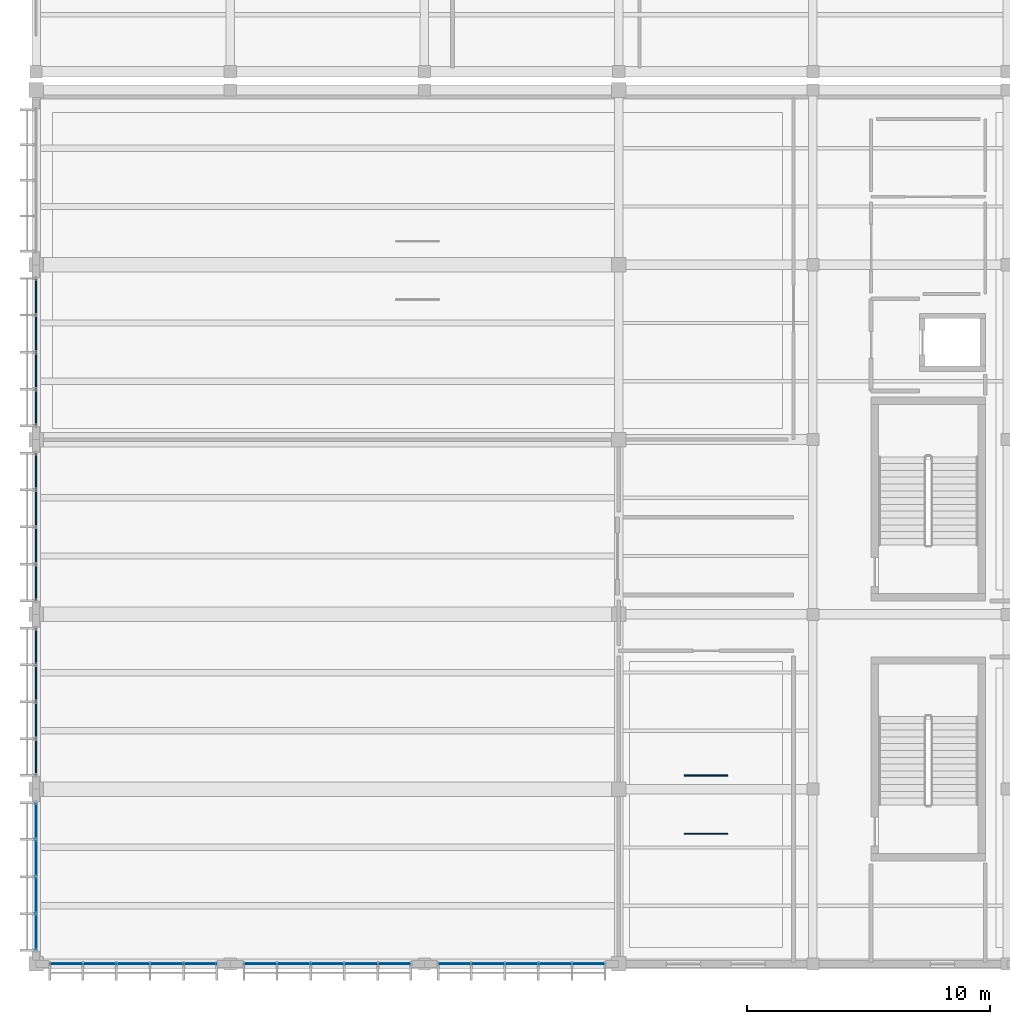
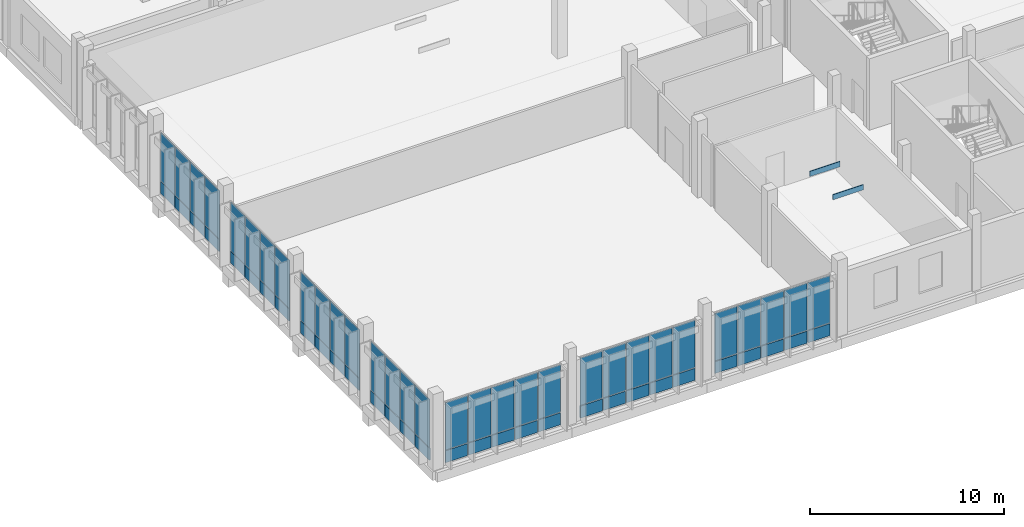
# One storey, part 132 of 177: 64 plates, 7 elements without a shape of their own.
"""IFC4 building model written with IfcOpenShell, lengths in metres."""

from ifc_helpers import new_model, si_unit, direction, frame, origin, origin_2d, place, context, subcontext, project, spatial, rectangle, extrude, material, layer, layer_set, type_object, element, aggregate, save


model = new_model("IFC4")

# Units and contexts
model_context = context("Model", 3, precision=1e-05, world=origin(), true_north=direction((0.0, 1.0)))
body_context = subcontext(model_context, "Body", "Model", "MODEL_VIEW")
ifc_project = project(units=[si_unit("LENGTHUNIT", "METRE"), si_unit("AREAUNIT", "SQUARE_METRE"), si_unit("VOLUMEUNIT", "CUBIC_METRE"), si_unit("PLANEANGLEUNIT", "RADIAN"), si_unit("MASSUNIT", "GRAM", prefix="KILO")], contexts=[model_context])

# Site, building, storey
site_placement = place(None, origin())
site = spatial("IfcSite", under=ifc_project, at=site_placement, CompositionType="ELEMENT")
building_placement = place(site_placement, origin())
building = spatial("IfcBuilding", under=site, at=building_placement, Name="Chiffa Square Polytechnic", CompositionType="ELEMENT")
storey_placement = place(building_placement, frame((0.0, 0.0, 4.800048828125)))
storey = spatial("IfcBuildingStorey", under=building, at=storey_placement, Name="L01", CompositionType="ELEMENT", Elevation=4.800048828125)

# Curtain wall, plates
ifc_material_1 = material(Name="Aluminium EN AW-6060 T66 and glulam shading", Category="wood")
curtain_wall_type_1 = type_object("IfcCurtainWallType", Name="CW-VERT-300X380", PredefinedType="USERDEFINED", material=ifc_material_1)
curtain_wall_1_placement = place(storey_placement, origin())
curtain_wall_1 = element("IfcCurtainWall", 1, at=curtain_wall_1_placement, inside=storey, type_object=curtain_wall_type_1, Name="Curtain wall CW-V3-L01-163", ObjectType="CURTAIN WALL", PredefinedType="USERDEFINED")
ifc_material_2 = material(Name="Double glazing", Category="glass")
ifc_layer_1 = layer(ifc_material_2, 0.0458984375, Name="Double glazing")
ifc_layer_set_1 = layer_set([ifc_layer_1], Name="Double glazing")
plate_type_1 = type_object("IfcPlateType", Name="CWP-GLZ-128X106", PredefinedType="CURTAIN_PANEL", material=ifc_layer_set_1)
plate_1_placement = place(storey_placement, frame((0.0, 13.083984375, 0.839599609375), z_axis=(0.0, 0.0, 1.0), x_axis=(0.0, -1.0, 0.0)))
plate_1 = element("IfcPlate", 2, at=plate_1_placement, type_object=plate_type_1, Name="Glazed curtain panel CW-V3-L01-163-PN01", PredefinedType="CURTAIN_PANEL", context=body_context, shape_type="SweptSolid", body=[
    extrude(rectangle(XDim=1.4560546875, YDim=0.0458984375, at=origin_2d()), origin(), (0.0, 0.0, 1.0), 3.02490234375),
])
plate_2_placement = place(storey_placement, frame((0.0, 11.56494140625, 0.839599609375), z_axis=(0.0, 0.0, 1.0), x_axis=(0.0, -1.0, 0.0)))
plate_2 = element("IfcPlate", 3, at=plate_2_placement, type_object=plate_type_1, Name="Glazed curtain panel CW-V3-L01-163-PN02", PredefinedType="CURTAIN_PANEL", context=body_context, shape_type="SweptSolid", body=[
    extrude(rectangle(XDim=1.47802734375, YDim=0.0458984375, at=origin_2d()), origin(), (0.0, 0.0, 1.0), 3.02490234375),
])
plate_3_placement = place(storey_placement, frame((0.0, 10.034912109375, 0.839599609375), z_axis=(0.0, 0.0, 1.0), x_axis=(0.0, -1.0, 0.0)))
plate_3 = element("IfcPlate", 4, at=plate_3_placement, type_object=plate_type_1, Name="Glazed curtain panel CW-V3-L01-163-PN03", PredefinedType="CURTAIN_PANEL", context=body_context, shape_type="SweptSolid", body=[
    extrude(rectangle(XDim=1.47802734375, YDim=0.0458984375, at=origin_2d()), origin(), (0.0, 0.0, 1.0), 3.02490234375),
])
plate_4_placement = place(storey_placement, frame((0.0, 8.51611328125, 0.839599609375), z_axis=(0.0, 0.0, 1.0), x_axis=(0.0, -1.0, 0.0)))
plate_4 = element("IfcPlate", 5, at=plate_4_placement, type_object=plate_type_1, Name="Glazed curtain panel CW-V3-L01-163-PN04", PredefinedType="CURTAIN_PANEL", context=body_context, shape_type="SweptSolid", body=[
    extrude(rectangle(XDim=1.4560546875, YDim=0.0458984375, at=origin_2d()), origin(), (0.0, 0.0, 1.0), 3.02490234375),
])

curtain_wall_type_2 = type_object("IfcCurtainWallType", Name="CW-VERT-450X380", PredefinedType="USERDEFINED", material=ifc_material_1)
curtain_wall_2_placement = place(storey_placement, origin())
curtain_wall_2 = element("IfcCurtainWall", 6, at=curtain_wall_2_placement, inside=storey, type_object=curtain_wall_type_2, Name="Curtain wall CW-V3-L01-162", ObjectType="CURTAIN WALL", PredefinedType="USERDEFINED")
ifc_layer_2 = layer(ifc_material_2, 0.0458984375, Name="Double glazing")
ifc_layer_set_2 = layer_set([ifc_layer_2], Name="Double glazing")
plate_type_2 = type_object("IfcPlateType", Name="CWP-GLZ-130X110", PredefinedType="CURTAIN_PANEL", material=ifc_layer_set_2)
plate_5_placement = place(storey_placement, frame((0.0, 20.283935546875, 0.839599609375), z_axis=(0.0, 0.0, 1.0), x_axis=(0.0, -1.0, 0.0)))
plate_5 = element("IfcPlate", 7, at=plate_5_placement, type_object=plate_type_2, Name="Glazed curtain panel CW-V3-L01-162-PN01", PredefinedType="CURTAIN_PANEL", context=body_context, shape_type="SweptSolid", body=[
    extrude(rectangle(XDim=1.4560546875, YDim=0.0458984375, at=origin_2d()), origin(), (0.0, 0.0, 1.0), 3.02490234375),
])
plate_6_placement = place(storey_placement, frame((0.0, 18.764892578125, 0.839599609375), z_axis=(0.0, 0.0, 1.0), x_axis=(0.0, -1.0, 0.0)))
plate_6 = element("IfcPlate", 8, at=plate_6_placement, type_object=plate_type_2, Name="Glazed curtain panel CW-V3-L01-162-PN02", PredefinedType="CURTAIN_PANEL", context=body_context, shape_type="SweptSolid", body=[
    extrude(rectangle(XDim=1.47802734375, YDim=0.0458984375, at=origin_2d()), origin(), (0.0, 0.0, 1.0), 3.02490234375),
])
plate_7_placement = place(storey_placement, frame((0.0, 17.235107421875, 0.839599609375), z_axis=(0.0, 0.0, 1.0), x_axis=(0.0, -1.0, 0.0)))
plate_7 = element("IfcPlate", 9, at=plate_7_placement, type_object=plate_type_2, Name="Glazed curtain panel CW-V3-L01-162-PN03", PredefinedType="CURTAIN_PANEL", context=body_context, shape_type="SweptSolid", body=[
    extrude(rectangle(XDim=1.47802734375, YDim=0.0458984375, at=origin_2d()), origin(), (0.0, 0.0, 1.0), 3.02490234375),
])
plate_8_placement = place(storey_placement, frame((0.0, 15.716064453125, 0.839599609375), z_axis=(0.0, 0.0, 1.0), x_axis=(0.0, -1.0, 0.0)))
plate_8 = element("IfcPlate", 10, at=plate_8_placement, type_object=plate_type_2, Name="Glazed curtain panel CW-V3-L01-162-PN04", PredefinedType="CURTAIN_PANEL", context=body_context, shape_type="SweptSolid", body=[
    extrude(rectangle(XDim=1.4560546875, YDim=0.0458984375, at=origin_2d()), origin(), (0.0, 0.0, 1.0), 3.02490234375),
])

curtain_wall_type_3 = type_object("IfcCurtainWallType", Name="CW-VERT-600X440", PredefinedType="USERDEFINED", material=ifc_material_1)
curtain_wall_3_placement = place(storey_placement, origin())
curtain_wall_3 = element("IfcCurtainWall", 11, at=curtain_wall_3_placement, inside=storey, type_object=curtain_wall_type_3, Name="Curtain wall CW-V3-L01-161", ObjectType="CURTAIN WALL", PredefinedType="USERDEFINED")
ifc_layer_3 = layer(ifc_material_2, 0.0439453125, Name="Double glazing")
ifc_layer_set_3 = layer_set([ifc_layer_3], Name="Double glazing")
plate_type_3 = type_object("IfcPlateType", Name="CWP-GLZ-132X114", PredefinedType="CURTAIN_PANEL", material=ifc_layer_set_3)
plate_9_placement = place(storey_placement, frame((0.0, 27.48388671875, 0.839599609375), z_axis=(0.0, 0.0, 1.0), x_axis=(0.0, -1.0, 0.0)))
plate_9 = element("IfcPlate", 12, at=plate_9_placement, type_object=plate_type_3, Name="Glazed curtain panel CW-V3-L01-161-PN01", PredefinedType="CURTAIN_PANEL", context=body_context, shape_type="SweptSolid", body=[
    extrude(rectangle(XDim=1.4560546875, YDim=0.0439453125, at=origin_2d()), origin(), (0.0, 0.0, 1.0), 3.02490234375),
])
plate_10_placement = place(storey_placement, frame((0.0, 25.965087890625, 0.839599609375), z_axis=(0.0, 0.0, 1.0), x_axis=(0.0, -1.0, 0.0)))
plate_10 = element("IfcPlate", 13, at=plate_10_placement, type_object=plate_type_3, Name="Glazed curtain panel CW-V3-L01-161-PN02", PredefinedType="CURTAIN_PANEL", context=body_context, shape_type="SweptSolid", body=[
    extrude(rectangle(XDim=1.47802734375, YDim=0.0439453125, at=origin_2d()), origin(), (0.0, 0.0, 1.0), 3.02490234375),
])
plate_11_placement = place(storey_placement, frame((0.0, 24.43505859375, 0.839599609375), z_axis=(0.0, 0.0, 1.0), x_axis=(0.0, -1.0, 0.0)))
plate_11 = element("IfcPlate", 14, at=plate_11_placement, type_object=plate_type_3, Name="Glazed curtain panel CW-V3-L01-161-PN03", PredefinedType="CURTAIN_PANEL", context=body_context, shape_type="SweptSolid", body=[
    extrude(rectangle(XDim=1.47802734375, YDim=0.0439453125, at=origin_2d()), origin(), (0.0, 0.0, 1.0), 3.02490234375),
])
plate_12_placement = place(storey_placement, frame((0.0, 22.916015625, 0.839599609375), z_axis=(0.0, 0.0, 1.0), x_axis=(0.0, -1.0, 0.0)))
plate_12 = element("IfcPlate", 15, at=plate_12_placement, type_object=plate_type_3, Name="Glazed curtain panel CW-V3-L01-161-PN04", PredefinedType="CURTAIN_PANEL", context=body_context, shape_type="SweptSolid", body=[
    extrude(rectangle(XDim=1.4560546875, YDim=0.0439453125, at=origin_2d()), origin(), (0.0, 0.0, 1.0), 3.02490234375),
])

curtain_wall_4_placement = place(storey_placement, origin())
curtain_wall_4 = element("IfcCurtainWall", 16, at=curtain_wall_4_placement, inside=storey, type_object=curtain_wall_type_1, Name="Curtain wall CW-V3-L01-155", ObjectType="CURTAIN WALL", PredefinedType="USERDEFINED")
ifc_layer_4 = layer(ifc_material_2, 0.0380859375, Name="Double glazing")
ifc_layer_set_4 = layer_set([ifc_layer_4], Name="Double glazing")
plate_type_4 = type_object("IfcPlateType", Name="CWP-GLZ-146X138", PredefinedType="CURTAIN_PANEL", material=ifc_layer_set_4)
plate_13_placement = place(storey_placement, frame((17.242919921875, 0.0, 0.83935546875), z_axis=(0.0, 0.0, 1.0), x_axis=(1.0, 0.0, 0.0)))
plate_13 = element("IfcPlate", 17, at=plate_13_placement, type_object=plate_type_4, Name="Glazed curtain panel CW-V3-L01-155-PN01", PredefinedType="CURTAIN_PANEL", context=body_context, shape_type="SweptSolid", body=[
    extrude(rectangle(XDim=1.31005859375, YDim=0.0380859375, at=origin_2d()), origin(), (0.0, 0.0, 1.0), 2.97509765625),
])
plate_14_placement = place(storey_placement, frame((18.615966796875, 0.0, 0.83935546875), z_axis=(0.0, 0.0, 1.0), x_axis=(1.0, 0.0, 0.0)))
plate_14 = element("IfcPlate", 18, at=plate_14_placement, type_object=plate_type_4, Name="Glazed curtain panel CW-V3-L01-155-PN02", PredefinedType="CURTAIN_PANEL", context=body_context, shape_type="SweptSolid", body=[
    extrude(rectangle(XDim=1.33203125, YDim=0.0380859375, at=origin_2d()), origin(), (0.0, 0.0, 1.0), 2.97509765625),
])
plate_15_placement = place(storey_placement, frame((20.0, 0.0, 0.83935546875), z_axis=(0.0, 0.0, 1.0), x_axis=(1.0, 0.0, 0.0)))
plate_15 = element("IfcPlate", 19, at=plate_15_placement, type_object=plate_type_4, Name="Glazed curtain panel CW-V3-L01-155-PN03", PredefinedType="CURTAIN_PANEL", context=body_context, shape_type="SweptSolid", body=[
    extrude(rectangle(XDim=1.33203125, YDim=0.0380859375, at=origin_2d()), origin(), (0.0, 0.0, 1.0), 2.97509765625),
])
plate_16_placement = place(storey_placement, frame((21.384033203125, 0.0, 0.83935546875), z_axis=(0.0, 0.0, 1.0), x_axis=(1.0, 0.0, 0.0)))
plate_16 = element("IfcPlate", 20, at=plate_16_placement, type_object=plate_type_4, Name="Glazed curtain panel CW-V3-L01-155-PN04", PredefinedType="CURTAIN_PANEL", context=body_context, shape_type="SweptSolid", body=[
    extrude(rectangle(XDim=1.33203125, YDim=0.0380859375, at=origin_2d()), origin(), (0.0, 0.0, 1.0), 2.97509765625),
])
plate_17_placement = place(storey_placement, frame((22.757080078125, 0.0, 0.83935546875), z_axis=(0.0, 0.0, 1.0), x_axis=(1.0, 0.0, 0.0)))
plate_17 = element("IfcPlate", 21, at=plate_17_placement, type_object=plate_type_4, Name="Glazed curtain panel CW-V3-L01-155-PN05", PredefinedType="CURTAIN_PANEL", context=body_context, shape_type="SweptSolid", body=[
    extrude(rectangle(XDim=1.31005859375, YDim=0.0380859375, at=origin_2d()), origin(), (0.0, 0.0, 1.0), 2.97509765625),
])

curtain_wall_5_placement = place(storey_placement, origin())
curtain_wall_5 = element("IfcCurtainWall", 22, at=curtain_wall_5_placement, inside=storey, type_object=curtain_wall_type_2, Name="Curtain wall CW-V3-L01-154", ObjectType="CURTAIN WALL", PredefinedType="USERDEFINED")
ifc_layer_5 = layer(ifc_material_2, 0.0380859375, Name="Double glazing")
ifc_layer_set_5 = layer_set([ifc_layer_5], Name="Double glazing")
plate_type_5 = type_object("IfcPlateType", Name="CWP-GLZ-148X142", PredefinedType="CURTAIN_PANEL", material=ifc_layer_set_5)
plate_18_placement = place(storey_placement, frame((9.242919921875, 0.0, 0.83935546875), z_axis=(0.0, 0.0, 1.0), x_axis=(1.0, 0.0, 0.0)))
plate_18 = element("IfcPlate", 23, at=plate_18_placement, type_object=plate_type_5, Name="Glazed curtain panel CW-V3-L01-154-PN01", PredefinedType="CURTAIN_PANEL", context=body_context, shape_type="SweptSolid", body=[
    extrude(rectangle(XDim=1.31005859375, YDim=0.0380859375, at=origin_2d()), origin(), (0.0, 0.0, 1.0), 2.97509765625),
])
plate_19_placement = place(storey_placement, frame((10.615966796875, 0.0, 0.83935546875), z_axis=(0.0, 0.0, 1.0), x_axis=(1.0, 0.0, 0.0)))
plate_19 = element("IfcPlate", 24, at=plate_19_placement, type_object=plate_type_5, Name="Glazed curtain panel CW-V3-L01-154-PN02", PredefinedType="CURTAIN_PANEL", context=body_context, shape_type="SweptSolid", body=[
    extrude(rectangle(XDim=1.33203125, YDim=0.0380859375, at=origin_2d()), origin(), (0.0, 0.0, 1.0), 2.97509765625),
])
plate_20_placement = place(storey_placement, frame((12.0, 0.0, 0.83935546875), z_axis=(0.0, 0.0, 1.0), x_axis=(1.0, 0.0, 0.0)))
plate_20 = element("IfcPlate", 25, at=plate_20_placement, type_object=plate_type_5, Name="Glazed curtain panel CW-V3-L01-154-PN03", PredefinedType="CURTAIN_PANEL", context=body_context, shape_type="SweptSolid", body=[
    extrude(rectangle(XDim=1.33203125, YDim=0.0380859375, at=origin_2d()), origin(), (0.0, 0.0, 1.0), 2.97509765625),
])
plate_21_placement = place(storey_placement, frame((13.384033203125, 0.0, 0.83935546875), z_axis=(0.0, 0.0, 1.0), x_axis=(1.0, 0.0, 0.0)))
plate_21 = element("IfcPlate", 26, at=plate_21_placement, type_object=plate_type_5, Name="Glazed curtain panel CW-V3-L01-154-PN04", PredefinedType="CURTAIN_PANEL", context=body_context, shape_type="SweptSolid", body=[
    extrude(rectangle(XDim=1.33203125, YDim=0.0380859375, at=origin_2d()), origin(), (0.0, 0.0, 1.0), 2.97509765625),
])
plate_22_placement = place(storey_placement, frame((14.757080078125, 0.0, 0.83935546875), z_axis=(0.0, 0.0, 1.0), x_axis=(1.0, 0.0, 0.0)))
plate_22 = element("IfcPlate", 27, at=plate_22_placement, type_object=plate_type_5, Name="Glazed curtain panel CW-V3-L01-154-PN05", PredefinedType="CURTAIN_PANEL", context=body_context, shape_type="SweptSolid", body=[
    extrude(rectangle(XDim=1.31005859375, YDim=0.0380859375, at=origin_2d()), origin(), (0.0, 0.0, 1.0), 2.97509765625),
])

curtain_wall_type_4 = type_object("IfcCurtainWallType", Name="CW-VERT-600X380", PredefinedType="USERDEFINED", material=ifc_material_1)
curtain_wall_6_placement = place(storey_placement, origin())
curtain_wall_6 = element("IfcCurtainWall", 28, at=curtain_wall_6_placement, inside=storey, type_object=curtain_wall_type_4, Name="Curtain wall CW-V3-L01-164", ObjectType="CURTAIN WALL", PredefinedType="USERDEFINED")
ifc_layer_6 = layer(ifc_material_2, 0.035888671875, Name="Double glazing")
ifc_layer_set_6 = layer_set([ifc_layer_6], Name="Double glazing")
plate_type_6 = type_object("IfcPlateType", Name="CWP-GLZ-150X145", PredefinedType="CURTAIN_PANEL", material=ifc_layer_set_6)
plate_23_placement = place(storey_placement, frame((0.0, 5.884033203125, 0.839599609375), z_axis=(0.0, 0.0, 1.0), x_axis=(0.0, -1.0, 0.0)))
plate_23 = element("IfcPlate", 29, at=plate_23_placement, type_object=plate_type_6, Name="Glazed curtain panel CW-V3-L01-164-PN01", PredefinedType="CURTAIN_PANEL", context=body_context, shape_type="SweptSolid", body=[
    extrude(rectangle(XDim=1.4560546875, YDim=0.035888671875, at=origin_2d()), origin(), (0.0, 0.0, 1.0), 3.02490234375),
])
plate_24_placement = place(storey_placement, frame((0.0, 4.364990234375, 0.839599609375), z_axis=(0.0, 0.0, 1.0), x_axis=(0.0, -1.0, 0.0)))
plate_24 = element("IfcPlate", 30, at=plate_24_placement, type_object=plate_type_6, Name="Glazed curtain panel CW-V3-L01-164-PN02", PredefinedType="CURTAIN_PANEL", context=body_context, shape_type="SweptSolid", body=[
    extrude(rectangle(XDim=1.47802734375, YDim=0.035888671875, at=origin_2d()), origin(), (0.0, 0.0, 1.0), 3.02490234375),
])
plate_25_placement = place(storey_placement, frame((0.0, 2.8349609375, 0.839599609375), z_axis=(0.0, 0.0, 1.0), x_axis=(0.0, -1.0, 0.0)))
plate_25 = element("IfcPlate", 31, at=plate_25_placement, type_object=plate_type_6, Name="Glazed curtain panel CW-V3-L01-164-PN03", PredefinedType="CURTAIN_PANEL", context=body_context, shape_type="SweptSolid", body=[
    extrude(rectangle(XDim=1.47802734375, YDim=0.035888671875, at=origin_2d()), origin(), (0.0, 0.0, 1.0), 3.02490234375),
])
plate_26_placement = place(storey_placement, frame((0.0, 1.31591796875, 0.839599609375), z_axis=(0.0, 0.0, 1.0), x_axis=(0.0, -1.0, 0.0)))
plate_26 = element("IfcPlate", 32, at=plate_26_placement, type_object=plate_type_6, Name="Glazed curtain panel CW-V3-L01-164-PN04", PredefinedType="CURTAIN_PANEL", context=body_context, shape_type="SweptSolid", body=[
    extrude(rectangle(XDim=1.4560546875, YDim=0.035888671875, at=origin_2d()), origin(), (0.0, 0.0, 1.0), 3.02490234375),
])

curtain_wall_7_placement = place(storey_placement, origin())
curtain_wall_7 = element("IfcCurtainWall", 33, at=curtain_wall_7_placement, inside=storey, type_object=curtain_wall_type_3, Name="Curtain wall CW-V3-L01-153", ObjectType="CURTAIN WALL", PredefinedType="USERDEFINED")
ifc_layer_7 = layer(ifc_material_2, 0.035888671875, Name="Double glazing")
ifc_layer_set_7 = layer_set([ifc_layer_7], Name="Double glazing")
plate_type_7 = type_object("IfcPlateType", Name="CWP-GLZ-180X140", PredefinedType="CURTAIN_PANEL", material=ifc_layer_set_7)
plate_27_placement = place(storey_placement, frame((1.242919921875, 0.0, 0.83935546875), z_axis=(0.0, 0.0, 1.0), x_axis=(1.0, 0.0, 0.0)))
plate_27 = element("IfcPlate", 34, at=plate_27_placement, type_object=plate_type_7, Name="Glazed curtain panel CW-V3-L01-153-PN01", PredefinedType="CURTAIN_PANEL", context=body_context, shape_type="SweptSolid", body=[
    extrude(rectangle(XDim=1.31005859375, YDim=0.035888671875, at=origin_2d()), origin(), (0.0, 0.0, 1.0), 2.97509765625),
])
plate_28_placement = place(storey_placement, frame((2.615966796875, 0.0, 0.83935546875), z_axis=(0.0, 0.0, 1.0), x_axis=(1.0, 0.0, 0.0)))
plate_28 = element("IfcPlate", 35, at=plate_28_placement, type_object=plate_type_7, Name="Glazed curtain panel CW-V3-L01-153-PN02", PredefinedType="CURTAIN_PANEL", context=body_context, shape_type="SweptSolid", body=[
    extrude(rectangle(XDim=1.33203125, YDim=0.035888671875, at=origin_2d()), origin(), (0.0, 0.0, 1.0), 2.97509765625),
])
plate_29_placement = place(storey_placement, frame((4.0, 0.0, 0.83935546875), z_axis=(0.0, 0.0, 1.0), x_axis=(1.0, 0.0, 0.0)))
plate_29 = element("IfcPlate", 36, at=plate_29_placement, type_object=plate_type_7, Name="Glazed curtain panel CW-V3-L01-153-PN03", PredefinedType="CURTAIN_PANEL", context=body_context, shape_type="SweptSolid", body=[
    extrude(rectangle(XDim=1.33203125, YDim=0.035888671875, at=origin_2d()), origin(), (0.0, 0.0, 1.0), 2.97509765625),
])
plate_30_placement = place(storey_placement, frame((5.384033203125, 0.0, 0.83935546875), z_axis=(0.0, 0.0, 1.0), x_axis=(1.0, 0.0, 0.0)))
plate_30 = element("IfcPlate", 37, at=plate_30_placement, type_object=plate_type_7, Name="Glazed curtain panel CW-V3-L01-153-PN04", PredefinedType="CURTAIN_PANEL", context=body_context, shape_type="SweptSolid", body=[
    extrude(rectangle(XDim=1.33203125, YDim=0.035888671875, at=origin_2d()), origin(), (0.0, 0.0, 1.0), 2.97509765625),
])
plate_31_placement = place(storey_placement, frame((6.757080078125, 0.0, 0.83935546875), z_axis=(0.0, 0.0, 1.0), x_axis=(1.0, 0.0, 0.0)))
plate_31 = element("IfcPlate", 38, at=plate_31_placement, type_object=plate_type_7, Name="Glazed curtain panel CW-V3-L01-153-PN05", PredefinedType="CURTAIN_PANEL", context=body_context, shape_type="SweptSolid", body=[
    extrude(rectangle(XDim=1.31005859375, YDim=0.035888671875, at=origin_2d()), origin(), (0.0, 0.0, 1.0), 2.97509765625),
])

# Plate
ifc_material_3 = material(Name="Aluminium insulated spandrel", Category="aluminium")
ifc_layer_8 = layer(ifc_material_3, 0.070068359375, Name="Aluminium insulated spandrel")
ifc_layer_set_8 = layer_set([ifc_layer_8], Name="Aluminium insulated spandrel")
plate_type_8 = type_object("IfcPlateType", Name="CWP-SPN-138X074", PredefinedType="SHEET", material=ifc_layer_set_8)
plate_32_placement = place(storey_placement, frame((0.0, 5.884033203125, 0.050048828125), z_axis=(0.0, 0.0, 1.0), x_axis=(0.0, -1.0, 0.0)))
plate_32 = element("IfcPlate", 39, at=plate_32_placement, type_object=plate_type_8, Name="Spandrel panel CW-V3-L01-164-SP01", PredefinedType="SHEET", context=body_context, shape_type="SweptSolid", body=[
    extrude(rectangle(XDim=1.4560546875, YDim=0.070068359375, at=origin_2d()), origin(), (0.0, 0.0, 1.0), 0.75),
])

plate_33_placement = place(storey_placement, frame((0.0, 4.364990234375, 0.050048828125), z_axis=(0.0, 0.0, 1.0), x_axis=(0.0, -1.0, 0.0)))
plate_33 = element("IfcPlate", 40, at=plate_33_placement, type_object=plate_type_8, Name="Spandrel panel CW-V3-L01-164-SP02", PredefinedType="SHEET", context=body_context, shape_type="SweptSolid", body=[
    extrude(rectangle(XDim=1.47802734375, YDim=0.070068359375, at=origin_2d()), origin(), (0.0, 0.0, 1.0), 0.75),
])

plate_34_placement = place(storey_placement, frame((0.0, 2.8349609375, 0.050048828125), z_axis=(0.0, 0.0, 1.0), x_axis=(0.0, -1.0, 0.0)))
plate_34 = element("IfcPlate", 41, at=plate_34_placement, type_object=plate_type_8, Name="Spandrel panel CW-V3-L01-164-SP03", PredefinedType="SHEET", context=body_context, shape_type="SweptSolid", body=[
    extrude(rectangle(XDim=1.47802734375, YDim=0.070068359375, at=origin_2d()), origin(), (0.0, 0.0, 1.0), 0.75),
])

plate_35_placement = place(storey_placement, frame((0.0, 1.31591796875, 0.050048828125), z_axis=(0.0, 0.0, 1.0), x_axis=(0.0, -1.0, 0.0)))
plate_35 = element("IfcPlate", 42, at=plate_35_placement, type_object=plate_type_8, Name="Spandrel panel CW-V3-L01-164-SP04", PredefinedType="SHEET", context=body_context, shape_type="SweptSolid", body=[
    extrude(rectangle(XDim=1.4560546875, YDim=0.070068359375, at=origin_2d()), origin(), (0.0, 0.0, 1.0), 0.75),
])

aggregate(curtain_wall_6, [plate_32, plate_23, plate_33, plate_24, plate_34, plate_25, plate_35, plate_26])

ifc_layer_9 = layer(ifc_material_3, 0.068115234375, Name="Aluminium insulated spandrel")
ifc_layer_set_9 = layer_set([ifc_layer_9], Name="Aluminium insulated spandrel")
plate_type_9 = type_object("IfcPlateType", Name="CWP-SPN-140X076", PredefinedType="SHEET", material=ifc_layer_set_9)
plate_36_placement = place(storey_placement, frame((17.242919921875, 0.0, 0.050048828125), z_axis=(0.0, 0.0, 1.0), x_axis=(1.0, 0.0, 0.0)))
plate_36 = element("IfcPlate", 43, at=plate_36_placement, type_object=plate_type_9, Name="Spandrel panel CW-V3-L01-155-SP01", PredefinedType="SHEET", context=body_context, shape_type="SweptSolid", body=[
    extrude(rectangle(XDim=1.31005859375, YDim=0.068115234375, at=origin_2d()), origin(), (0.0, 0.0, 1.0), 0.75),
])

plate_37_placement = place(storey_placement, frame((18.615966796875, 0.0, 0.050048828125), z_axis=(0.0, 0.0, 1.0), x_axis=(1.0, 0.0, 0.0)))
plate_37 = element("IfcPlate", 44, at=plate_37_placement, type_object=plate_type_9, Name="Spandrel panel CW-V3-L01-155-SP02", PredefinedType="SHEET", context=body_context, shape_type="SweptSolid", body=[
    extrude(rectangle(XDim=1.33203125, YDim=0.068115234375, at=origin_2d()), origin(), (0.0, 0.0, 1.0), 0.75),
])

plate_38_placement = place(storey_placement, frame((20.0, 0.0, 0.050048828125), z_axis=(0.0, 0.0, 1.0), x_axis=(1.0, 0.0, 0.0)))
plate_38 = element("IfcPlate", 45, at=plate_38_placement, type_object=plate_type_9, Name="Spandrel panel CW-V3-L01-155-SP03", PredefinedType="SHEET", context=body_context, shape_type="SweptSolid", body=[
    extrude(rectangle(XDim=1.33203125, YDim=0.068115234375, at=origin_2d()), origin(), (0.0, 0.0, 1.0), 0.75),
])

plate_39_placement = place(storey_placement, frame((21.384033203125, 0.0, 0.050048828125), z_axis=(0.0, 0.0, 1.0), x_axis=(1.0, 0.0, 0.0)))
plate_39 = element("IfcPlate", 46, at=plate_39_placement, type_object=plate_type_9, Name="Spandrel panel CW-V3-L01-155-SP04", PredefinedType="SHEET", context=body_context, shape_type="SweptSolid", body=[
    extrude(rectangle(XDim=1.33203125, YDim=0.068115234375, at=origin_2d()), origin(), (0.0, 0.0, 1.0), 0.75),
])

plate_40_placement = place(storey_placement, frame((22.757080078125, 0.0, 0.050048828125), z_axis=(0.0, 0.0, 1.0), x_axis=(1.0, 0.0, 0.0)))
plate_40 = element("IfcPlate", 47, at=plate_40_placement, type_object=plate_type_9, Name="Spandrel panel CW-V3-L01-155-SP05", PredefinedType="SHEET", context=body_context, shape_type="SweptSolid", body=[
    extrude(rectangle(XDim=1.31005859375, YDim=0.068115234375, at=origin_2d()), origin(), (0.0, 0.0, 1.0), 0.75),
])

aggregate(curtain_wall_4, [plate_36, plate_13, plate_37, plate_14, plate_38, plate_15, plate_39, plate_16, plate_40, plate_17])

plate_41_placement = place(storey_placement, frame((0.0, 13.083984375, 0.050048828125), z_axis=(0.0, 0.0, 1.0), x_axis=(0.0, -1.0, 0.0)))
plate_41 = element("IfcPlate", 48, at=plate_41_placement, type_object=plate_type_9, Name="Spandrel panel CW-V3-L01-163-SP01", PredefinedType="SHEET", context=body_context, shape_type="SweptSolid", body=[
    extrude(rectangle(XDim=1.4560546875, YDim=0.068115234375, at=origin_2d()), origin(), (0.0, 0.0, 1.0), 0.75),
])

plate_42_placement = place(storey_placement, frame((0.0, 11.56494140625, 0.050048828125), z_axis=(0.0, 0.0, 1.0), x_axis=(0.0, -1.0, 0.0)))
plate_42 = element("IfcPlate", 49, at=plate_42_placement, type_object=plate_type_9, Name="Spandrel panel CW-V3-L01-163-SP02", PredefinedType="SHEET", context=body_context, shape_type="SweptSolid", body=[
    extrude(rectangle(XDim=1.47802734375, YDim=0.068115234375, at=origin_2d()), origin(), (0.0, 0.0, 1.0), 0.75),
])

plate_43_placement = place(storey_placement, frame((0.0, 10.034912109375, 0.050048828125), z_axis=(0.0, 0.0, 1.0), x_axis=(0.0, -1.0, 0.0)))
plate_43 = element("IfcPlate", 50, at=plate_43_placement, type_object=plate_type_9, Name="Spandrel panel CW-V3-L01-163-SP03", PredefinedType="SHEET", context=body_context, shape_type="SweptSolid", body=[
    extrude(rectangle(XDim=1.47802734375, YDim=0.068115234375, at=origin_2d()), origin(), (0.0, 0.0, 1.0), 0.75),
])

plate_44_placement = place(storey_placement, frame((0.0, 8.51611328125, 0.050048828125), z_axis=(0.0, 0.0, 1.0), x_axis=(0.0, -1.0, 0.0)))
plate_44 = element("IfcPlate", 51, at=plate_44_placement, type_object=plate_type_9, Name="Spandrel panel CW-V3-L01-163-SP04", PredefinedType="SHEET", context=body_context, shape_type="SweptSolid", body=[
    extrude(rectangle(XDim=1.4560546875, YDim=0.068115234375, at=origin_2d()), origin(), (0.0, 0.0, 1.0), 0.75),
])

aggregate(curtain_wall_1, [plate_41, plate_1, plate_42, plate_2, plate_43, plate_3, plate_44, plate_4])

ifc_layer_10 = layer(ifc_material_3, 0.06591796875, Name="Aluminium insulated spandrel")
ifc_layer_set_10 = layer_set([ifc_layer_10], Name="Aluminium insulated spandrel")
plate_type_10 = type_object("IfcPlateType", Name="CWP-SPN-144X078", PredefinedType="SHEET", material=ifc_layer_set_10)
plate_45_placement = place(storey_placement, frame((9.242919921875, 0.0, 0.050048828125), z_axis=(0.0, 0.0, 1.0), x_axis=(1.0, 0.0, 0.0)))
plate_45 = element("IfcPlate", 52, at=plate_45_placement, type_object=plate_type_10, Name="Spandrel panel CW-V3-L01-154-SP01", PredefinedType="SHEET", context=body_context, shape_type="SweptSolid", body=[
    extrude(rectangle(XDim=1.31005859375, YDim=0.06591796875, at=origin_2d()), origin(), (0.0, 0.0, 1.0), 0.75),
])

plate_46_placement = place(storey_placement, frame((10.615966796875, 0.0, 0.050048828125), z_axis=(0.0, 0.0, 1.0), x_axis=(1.0, 0.0, 0.0)))
plate_46 = element("IfcPlate", 53, at=plate_46_placement, type_object=plate_type_10, Name="Spandrel panel CW-V3-L01-154-SP02", PredefinedType="SHEET", context=body_context, shape_type="SweptSolid", body=[
    extrude(rectangle(XDim=1.33203125, YDim=0.06591796875, at=origin_2d()), origin(), (0.0, 0.0, 1.0), 0.75),
])

plate_47_placement = place(storey_placement, frame((12.0, 0.0, 0.050048828125), z_axis=(0.0, 0.0, 1.0), x_axis=(1.0, 0.0, 0.0)))
plate_47 = element("IfcPlate", 54, at=plate_47_placement, type_object=plate_type_10, Name="Spandrel panel CW-V3-L01-154-SP03", PredefinedType="SHEET", context=body_context, shape_type="SweptSolid", body=[
    extrude(rectangle(XDim=1.33203125, YDim=0.06591796875, at=origin_2d()), origin(), (0.0, 0.0, 1.0), 0.75),
])

plate_48_placement = place(storey_placement, frame((13.384033203125, 0.0, 0.050048828125), z_axis=(0.0, 0.0, 1.0), x_axis=(1.0, 0.0, 0.0)))
plate_48 = element("IfcPlate", 55, at=plate_48_placement, type_object=plate_type_10, Name="Spandrel panel CW-V3-L01-154-SP04", PredefinedType="SHEET", context=body_context, shape_type="SweptSolid", body=[
    extrude(rectangle(XDim=1.33203125, YDim=0.06591796875, at=origin_2d()), origin(), (0.0, 0.0, 1.0), 0.75),
])

plate_49_placement = place(storey_placement, frame((14.757080078125, 0.0, 0.050048828125), z_axis=(0.0, 0.0, 1.0), x_axis=(1.0, 0.0, 0.0)))
plate_49 = element("IfcPlate", 56, at=plate_49_placement, type_object=plate_type_10, Name="Spandrel panel CW-V3-L01-154-SP05", PredefinedType="SHEET", context=body_context, shape_type="SweptSolid", body=[
    extrude(rectangle(XDim=1.31005859375, YDim=0.06591796875, at=origin_2d()), origin(), (0.0, 0.0, 1.0), 0.75),
])

aggregate(curtain_wall_5, [plate_45, plate_18, plate_46, plate_19, plate_47, plate_20, plate_48, plate_21, plate_49, plate_22])

plate_50_placement = place(storey_placement, frame((0.0, 20.283935546875, 0.050048828125), z_axis=(0.0, 0.0, 1.0), x_axis=(0.0, -1.0, 0.0)))
plate_50 = element("IfcPlate", 57, at=plate_50_placement, type_object=plate_type_10, Name="Spandrel panel CW-V3-L01-162-SP01", PredefinedType="SHEET", context=body_context, shape_type="SweptSolid", body=[
    extrude(rectangle(XDim=1.4560546875, YDim=0.06591796875, at=origin_2d()), origin(), (0.0, 0.0, 1.0), 0.75),
])

plate_51_placement = place(storey_placement, frame((0.0, 18.764892578125, 0.050048828125), z_axis=(0.0, 0.0, 1.0), x_axis=(0.0, -1.0, 0.0)))
plate_51 = element("IfcPlate", 58, at=plate_51_placement, type_object=plate_type_10, Name="Spandrel panel CW-V3-L01-162-SP02", PredefinedType="SHEET", context=body_context, shape_type="SweptSolid", body=[
    extrude(rectangle(XDim=1.47802734375, YDim=0.06591796875, at=origin_2d()), origin(), (0.0, 0.0, 1.0), 0.75),
])

plate_52_placement = place(storey_placement, frame((0.0, 17.235107421875, 0.050048828125), z_axis=(0.0, 0.0, 1.0), x_axis=(0.0, -1.0, 0.0)))
plate_52 = element("IfcPlate", 59, at=plate_52_placement, type_object=plate_type_10, Name="Spandrel panel CW-V3-L01-162-SP03", PredefinedType="SHEET", context=body_context, shape_type="SweptSolid", body=[
    extrude(rectangle(XDim=1.47802734375, YDim=0.06591796875, at=origin_2d()), origin(), (0.0, 0.0, 1.0), 0.75),
])

plate_53_placement = place(storey_placement, frame((0.0, 15.716064453125, 0.050048828125), z_axis=(0.0, 0.0, 1.0), x_axis=(0.0, -1.0, 0.0)))
plate_53 = element("IfcPlate", 60, at=plate_53_placement, type_object=plate_type_10, Name="Spandrel panel CW-V3-L01-162-SP04", PredefinedType="SHEET", context=body_context, shape_type="SweptSolid", body=[
    extrude(rectangle(XDim=1.4560546875, YDim=0.06591796875, at=origin_2d()), origin(), (0.0, 0.0, 1.0), 0.75),
])

aggregate(curtain_wall_2, [plate_50, plate_5, plate_51, plate_6, plate_52, plate_7, plate_53, plate_8])

ifc_layer_11 = layer(ifc_material_3, 0.06396484375, Name="Aluminium insulated spandrel")
ifc_layer_set_11 = layer_set([ifc_layer_11], Name="Aluminium insulated spandrel")
plate_type_11 = type_object("IfcPlateType", Name="CWP-SPN-146X082", PredefinedType="SHEET", material=ifc_layer_set_11)
plate_54_placement = place(storey_placement, frame((1.242919921875, 0.0, 0.050048828125), z_axis=(0.0, 0.0, 1.0), x_axis=(1.0, 0.0, 0.0)))
plate_54 = element("IfcPlate", 61, at=plate_54_placement, type_object=plate_type_11, Name="Spandrel panel CW-V3-L01-153-SP01", PredefinedType="SHEET", context=body_context, shape_type="SweptSolid", body=[
    extrude(rectangle(XDim=1.31005859375, YDim=0.06396484375, at=origin_2d()), origin(), (0.0, 0.0, 1.0), 0.75),
])

plate_55_placement = place(storey_placement, frame((2.615966796875, 0.0, 0.050048828125), z_axis=(0.0, 0.0, 1.0), x_axis=(1.0, 0.0, 0.0)))
plate_55 = element("IfcPlate", 62, at=plate_55_placement, type_object=plate_type_11, Name="Spandrel panel CW-V3-L01-153-SP02", PredefinedType="SHEET", context=body_context, shape_type="SweptSolid", body=[
    extrude(rectangle(XDim=1.33203125, YDim=0.06396484375, at=origin_2d()), origin(), (0.0, 0.0, 1.0), 0.75),
])

plate_56_placement = place(storey_placement, frame((4.0, 0.0, 0.050048828125), z_axis=(0.0, 0.0, 1.0), x_axis=(1.0, 0.0, 0.0)))
plate_56 = element("IfcPlate", 63, at=plate_56_placement, type_object=plate_type_11, Name="Spandrel panel CW-V3-L01-153-SP03", PredefinedType="SHEET", context=body_context, shape_type="SweptSolid", body=[
    extrude(rectangle(XDim=1.33203125, YDim=0.06396484375, at=origin_2d()), origin(), (0.0, 0.0, 1.0), 0.75),
])

plate_57_placement = place(storey_placement, frame((5.384033203125, 0.0, 0.050048828125), z_axis=(0.0, 0.0, 1.0), x_axis=(1.0, 0.0, 0.0)))
plate_57 = element("IfcPlate", 64, at=plate_57_placement, type_object=plate_type_11, Name="Spandrel panel CW-V3-L01-153-SP04", PredefinedType="SHEET", context=body_context, shape_type="SweptSolid", body=[
    extrude(rectangle(XDim=1.33203125, YDim=0.06396484375, at=origin_2d()), origin(), (0.0, 0.0, 1.0), 0.75),
])

plate_58_placement = place(storey_placement, frame((6.757080078125, 0.0, 0.050048828125), z_axis=(0.0, 0.0, 1.0), x_axis=(1.0, 0.0, 0.0)))
plate_58 = element("IfcPlate", 65, at=plate_58_placement, type_object=plate_type_11, Name="Spandrel panel CW-V3-L01-153-SP05", PredefinedType="SHEET", context=body_context, shape_type="SweptSolid", body=[
    extrude(rectangle(XDim=1.31005859375, YDim=0.06396484375, at=origin_2d()), origin(), (0.0, 0.0, 1.0), 0.75),
])

aggregate(curtain_wall_7, [plate_54, plate_27, plate_55, plate_28, plate_56, plate_29, plate_57, plate_30, plate_58, plate_31])

plate_59_placement = place(storey_placement, frame((0.0, 27.48388671875, 0.050048828125), z_axis=(0.0, 0.0, 1.0), x_axis=(0.0, -1.0, 0.0)))
plate_59 = element("IfcPlate", 66, at=plate_59_placement, type_object=plate_type_11, Name="Spandrel panel CW-V3-L01-161-SP01", PredefinedType="SHEET", context=body_context, shape_type="SweptSolid", body=[
    extrude(rectangle(XDim=1.4560546875, YDim=0.06396484375, at=origin_2d()), origin(), (0.0, 0.0, 1.0), 0.75),
])

plate_60_placement = place(storey_placement, frame((0.0, 25.965087890625, 0.050048828125), z_axis=(0.0, 0.0, 1.0), x_axis=(0.0, -1.0, 0.0)))
plate_60 = element("IfcPlate", 67, at=plate_60_placement, type_object=plate_type_11, Name="Spandrel panel CW-V3-L01-161-SP02", PredefinedType="SHEET", context=body_context, shape_type="SweptSolid", body=[
    extrude(rectangle(XDim=1.47802734375, YDim=0.06396484375, at=origin_2d()), origin(), (0.0, 0.0, 1.0), 0.75),
])

plate_61_placement = place(storey_placement, frame((0.0, 24.43505859375, 0.050048828125), z_axis=(0.0, 0.0, 1.0), x_axis=(0.0, -1.0, 0.0)))
plate_61 = element("IfcPlate", 68, at=plate_61_placement, type_object=plate_type_11, Name="Spandrel panel CW-V3-L01-161-SP03", PredefinedType="SHEET", context=body_context, shape_type="SweptSolid", body=[
    extrude(rectangle(XDim=1.47802734375, YDim=0.06396484375, at=origin_2d()), origin(), (0.0, 0.0, 1.0), 0.75),
])

plate_62_placement = place(storey_placement, frame((0.0, 22.916015625, 0.050048828125), z_axis=(0.0, 0.0, 1.0), x_axis=(0.0, -1.0, 0.0)))
plate_62 = element("IfcPlate", 69, at=plate_62_placement, type_object=plate_type_11, Name="Spandrel panel CW-V3-L01-161-SP04", PredefinedType="SHEET", context=body_context, shape_type="SweptSolid", body=[
    extrude(rectangle(XDim=1.4560546875, YDim=0.06396484375, at=origin_2d()), origin(), (0.0, 0.0, 1.0), 0.75),
])

aggregate(curtain_wall_3, [plate_59, plate_9, plate_60, plate_10, plate_61, plate_11, plate_62, plate_12])

# Plates
ifc_material_4 = material(Name="Glulam GL28h", Category="wood")
ifc_layer_12 = layer(ifc_material_4, 0.320068359375, Name="Glulam GL28h")
ifc_layer_set_12 = layer_set([ifc_layer_12], Name="Glulam GL28h")
plate_type_12 = type_object("IfcPlateType", Name="PLT-BAFFLE-1800", PredefinedType="USERDEFINED", material=ifc_layer_set_12)
for number, where, z_axis, x_axis, name in (
    (70, (27.60009765625, 5.360107421875, 4.162109375), (0.0, 0.0, 1.0), (1.0, 0.0, 0.0), "Acoustic timber ceiling baffle AB-V3-L01-011"),
    (71, (27.60009765625, 7.760009765625, 4.162109375), (0.0, 0.0, 1.0), (1.0, 0.0, 0.0), "Acoustic timber ceiling baffle AB-V3-L01-012"),
):
    element("IfcPlate", number, at=place(storey_placement, frame(where, z_axis=z_axis, x_axis=x_axis)), inside=storey, type_object=plate_type_12, Name=name, ObjectType="ACOUSTIC BAFFLE", PredefinedType="USERDEFINED", context=body_context, shape_type="SweptSolid", body=[
        extrude(rectangle(XDim=1.800048828125, YDim=0.050048828125, at=origin_2d()), origin(), (0.0, 0.0, 1.0), 0.320068359375),
    ])

save(model, "model.ifc")
